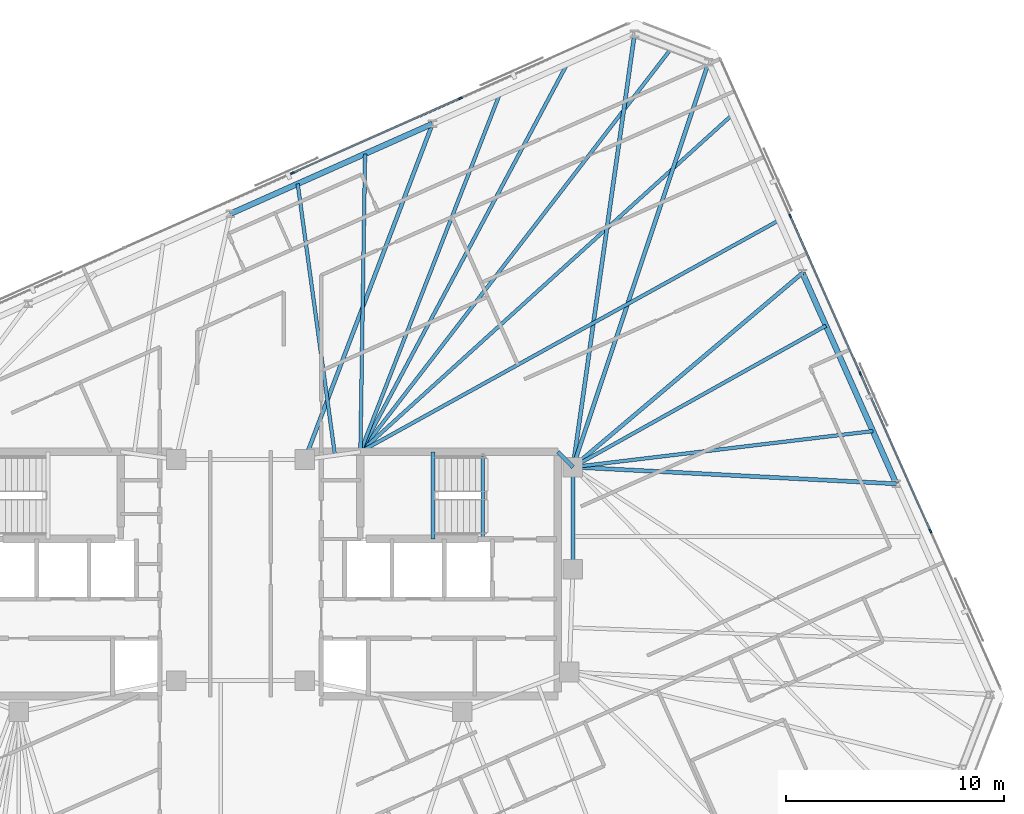
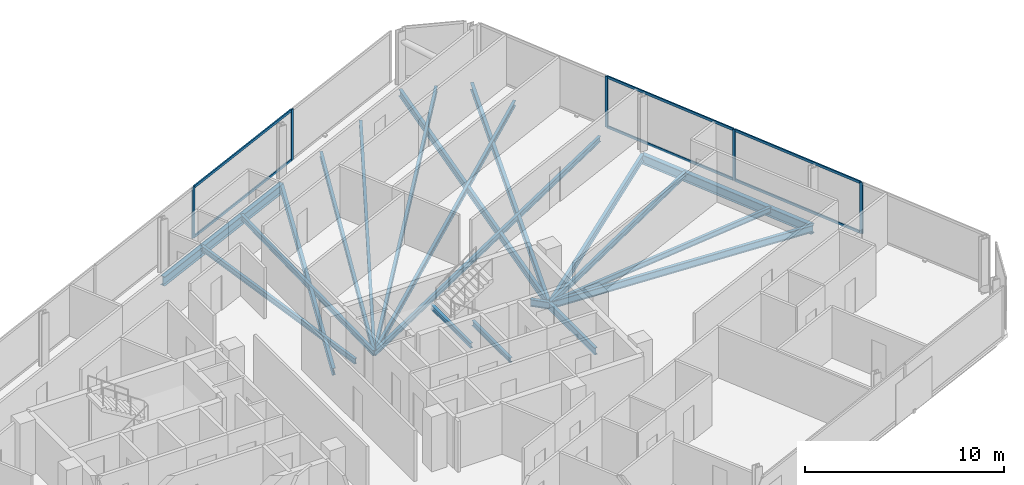
# One storey, part 10 of 19: 20 beams, 11 members, 2 elements without a shape of their own.
"""IFC4 building model written with IfcOpenShell, lengths in metres."""

from ifc_helpers import new_model, si_unit, direction, frame, origin, origin_2d, place, context, subcontext, project, spatial, rectangle, i_section, extrude, material, material_profile, profile_set, type_object, element, aggregate, save


model = new_model("IFC4")

# Units and contexts
model_context = context("Model", 3, precision=1e-05, world=origin(), true_north=direction((0.0, 1.0)))
body_context = subcontext(model_context, "Body", "Model", "MODEL_VIEW")
ifc_project = project(units=[si_unit("LENGTHUNIT", "METRE"), si_unit("AREAUNIT", "SQUARE_METRE"), si_unit("VOLUMEUNIT", "CUBIC_METRE"), si_unit("PLANEANGLEUNIT", "RADIAN"), si_unit("MASSUNIT", "GRAM", prefix="KILO")], contexts=[model_context])

# Site, building, storey
site_placement = place(None, origin())
site = spatial("IfcSite", under=ifc_project, at=site_placement, CompositionType="ELEMENT")
building_placement = place(site_placement, origin())
building = spatial("IfcBuilding", under=site, at=building_placement, Name="Menara Jurai Vektor", CompositionType="ELEMENT")
storey_placement = place(building_placement, frame((0.0, 0.0, 268.89990234375)))
storey = spatial("IfcBuildingStorey", under=building, at=storey_placement, Name="L72", CompositionType="ELEMENT", Elevation=268.89990234375)

# Curtain wall, members
ifc_material_1 = material(Name="Anodised Pale Aluminium & Low-E Double Glazing", Category="aluminium")
curtain_wall_type = type_object("IfcCurtainWallType", Name="CW-BLK5", PredefinedType="NOTDEFINED", material=ifc_material_1)
curtain_wall_1_placement = place(storey_placement, origin())
curtain_wall_1 = element("IfcCurtainWall", 1, at=curtain_wall_1_placement, inside=storey, type_object=curtain_wall_type, Name="Unitised Curtain Wall L72 F03", PredefinedType="NOTDEFINED")
ifc_material_2 = material(Name="Anodised Pale Aluminium Mullion", Category="aluminium")
ifc_material_profile_1 = material_profile(ifc_material_2, rectangle(XDim=0.074951171875, YDim=0.175048828125, at=origin_2d()), Name="ALU MUL 75x175")
ifc_profile_set_1 = profile_set([ifc_material_profile_1], Name="Anodised Pale Aluminium Mullion")
member_type_1 = type_object("IfcMemberType", Name="CW-BLK5-MUL", PredefinedType="MULLION", material=ifc_profile_set_1)
member_1_placement = place(storey_placement, frame((31.6533203125, 1.9658203125, 0.0), z_axis=(0.0, 0.0, 1.0), x_axis=(-0.913546127706, -0.406735138086, 0.0)))
member_1 = element("IfcMember", 2, at=member_1_placement, type_object=member_type_1, Name="CW-05 mullion 2", PredefinedType="MULLION", context=body_context, shape_type="SweptSolid", body=[
    extrude(rectangle(XDim=0.074951171875, YDim=0.175048828125, at=origin_2d()), origin(), (0.0, 0.0, 1.0), 3.125),
])
member_2_placement = place(storey_placement, frame((28.43603515625, 9.19189453125, 0.0), z_axis=(0.0, 0.0, 1.0), x_axis=(-0.913546127706, -0.406735138086, 0.0)))
member_2 = element("IfcMember", 3, at=member_2_placement, type_object=member_type_1, Name="CW-05 mullion 3", PredefinedType="MULLION", context=body_context, shape_type="SweptSolid", body=[
    extrude(rectangle(XDim=0.074951171875, YDim=0.175048828125, at=origin_2d()), origin(), (0.0, 0.0, 1.0), 3.125),
])
member_3_placement = place(storey_placement, frame((25.21875, 16.418212890625, 0.0), z_axis=(0.0, 0.0, 1.0), x_axis=(-0.913546127706, -0.406735138086, 0.0)))
member_3 = element("IfcMember", 4, at=member_3_placement, type_object=member_type_1, Name="CW-05 mullion 4", PredefinedType="MULLION", context=body_context, shape_type="SweptSolid", body=[
    extrude(rectangle(XDim=0.074951171875, YDim=0.175048828125, at=origin_2d()), origin(), (0.0, 0.0, 1.0), 3.125),
])

curtain_wall_2_placement = place(storey_placement, origin())
curtain_wall_2 = element("IfcCurtainWall", 5, at=curtain_wall_2_placement, inside=storey, type_object=curtain_wall_type, Name="Unitised Curtain Wall L72 F05", PredefinedType="NOTDEFINED")
member_4_placement = place(storey_placement, frame((10.0927734375, 21.822998046875, 0.0), z_axis=(0.0, 0.0, 1.0), x_axis=(0.406735498684, -0.913545967158, 0.0)))
member_4 = element("IfcMember", 6, at=member_4_placement, type_object=member_type_1, Name="CW-05 mullion 2", PredefinedType="MULLION", context=body_context, shape_type="SweptSolid", body=[
    extrude(rectangle(XDim=0.074951171875, YDim=0.175048828125, at=origin_2d()), origin(), (0.0, 0.0, 1.0), 3.125),
])
member_5_placement = place(storey_placement, frame((2.38232421875, 18.39013671875, 0.0), z_axis=(0.0, 0.0, 1.0), x_axis=(0.406735498684, -0.913545967158, 0.0)))
member_5 = element("IfcMember", 7, at=member_5_placement, type_object=member_type_1, Name="CW-05 mullion 3", PredefinedType="MULLION", context=body_context, shape_type="SweptSolid", body=[
    extrude(rectangle(XDim=0.074951171875, YDim=0.175048828125, at=origin_2d()), origin(), (0.0, 0.0, 1.0), 3.125),
])

# Member
ifc_material_3 = material(Name="Anodised Pale Aluminium Transom", Category="aluminium")
ifc_material_profile_2 = material_profile(ifc_material_3, rectangle(XDim=0.074951171875, YDim=0.155029296875, at=origin_2d()), Name="ALU TRN 75x155")
ifc_profile_set_2 = profile_set([ifc_material_profile_2], Name="Anodised Pale Aluminium Transom")
member_type_2 = type_object("IfcMemberType", Name="CW-BLK5-TRN", PredefinedType="USERDEFINED", material=ifc_profile_set_2)
member_6_placement = place(storey_placement, frame((31.63818359375, 2.0, 0.03759765625), z_axis=(-0.406731062496, 0.913547942256, 0.0), x_axis=(-0.913547942256, -0.406731062496, 0.0)))
member_6 = element("IfcMember", 8, at=member_6_placement, type_object=member_type_2, Name="CW-05 transom 2.1", ObjectType="TRANSOM", PredefinedType="USERDEFINED", context=body_context, shape_type="SweptSolid", body=[
    extrude(rectangle(XDim=0.074951171875, YDim=0.155029296875, at=origin_2d()), origin(), (0.0, 0.0, 1.0), 7.8349609375),
])

member_7_placement = place(storey_placement, frame((31.63818359375, 2.0, 3.087646484375), z_axis=(-0.406731062496, 0.913547942256, 0.0), x_axis=(-0.913547942256, -0.406731062496, 0.0)))
member_7 = element("IfcMember", 9, at=member_7_placement, type_object=member_type_2, Name="CW-05 transom 2.2", ObjectType="TRANSOM", PredefinedType="USERDEFINED", context=body_context, shape_type="SweptSolid", body=[
    extrude(rectangle(XDim=0.074951171875, YDim=0.155029296875, at=origin_2d()), origin(), (0.0, 0.0, 1.0), 7.8349609375),
])

member_8_placement = place(storey_placement, frame((28.4208984375, 9.226318359375, 0.03759765625), z_axis=(-0.40674264085, 0.913542787238, 0.0), x_axis=(-0.913542787238, -0.40674264085, 0.0)))
member_8 = element("IfcMember", 10, at=member_8_placement, type_object=member_type_2, Name="CW-05 transom 3.1", ObjectType="TRANSOM", PredefinedType="USERDEFINED", context=body_context, shape_type="SweptSolid", body=[
    extrude(rectangle(XDim=0.074951171875, YDim=0.155029296875, at=origin_2d()), origin(), (0.0, 0.0, 1.0), 7.8349609375),
])

member_9_placement = place(storey_placement, frame((28.4208984375, 9.226318359375, 3.087646484375), z_axis=(-0.40674264085, 0.913542787238, 0.0), x_axis=(-0.913542787238, -0.40674264085, 0.0)))
member_9 = element("IfcMember", 11, at=member_9_placement, type_object=member_type_2, Name="CW-05 transom 3.2", ObjectType="TRANSOM", PredefinedType="USERDEFINED", context=body_context, shape_type="SweptSolid", body=[
    extrude(rectangle(XDim=0.074951171875, YDim=0.155029296875, at=origin_2d()), origin(), (0.0, 0.0, 1.0), 7.8349609375),
])

aggregate(curtain_wall_1, [member_1, member_2, member_3, member_6, member_7, member_8, member_9])

member_10_placement = place(storey_placement, frame((10.058349609375, 21.807861328125, 0.03759765625), z_axis=(-0.913546575494, -0.406734132331, 0.0), x_axis=(0.406734132331, -0.913546575494, 0.0)))
member_10 = element("IfcMember", 12, at=member_10_placement, type_object=member_type_2, Name="CW-05 transom 2.1", ObjectType="TRANSOM", PredefinedType="USERDEFINED", context=body_context, shape_type="SweptSolid", body=[
    extrude(rectangle(XDim=0.074951171875, YDim=0.155029296875, at=origin_2d()), origin(), (0.0, 0.0, 1.0), 8.364990234375),
])

member_11_placement = place(storey_placement, frame((10.058349609375, 21.807861328125, 3.087646484375), z_axis=(-0.913546575494, -0.406734132331, 0.0), x_axis=(0.406734132331, -0.913546575494, 0.0)))
member_11 = element("IfcMember", 13, at=member_11_placement, type_object=member_type_2, Name="CW-05 transom 2.2", ObjectType="TRANSOM", PredefinedType="USERDEFINED", context=body_context, shape_type="SweptSolid", body=[
    extrude(rectangle(XDim=0.074951171875, YDim=0.155029296875, at=origin_2d()), origin(), (0.0, 0.0, 1.0), 8.364990234375),
])

aggregate(curtain_wall_2, [member_4, member_5, member_10, member_11])

# Beams
ifc_material_4 = material(Name="Steel S355", Category="steel")
ifc_material_profile_3 = material_profile(ifc_material_4, i_section(OverallWidth=0.18505859375, OverallDepth=0.429931640625, WebThickness=0.010986328125, FlangeThickness=0.01806640625, at=origin_2d()), Name="PG 430x185x76")
ifc_profile_set_3 = profile_set([ifc_material_profile_3], Name="Steel S355")
beam_type_1 = type_object("IfcBeamType", Name="STR-BM-430", PredefinedType="BEAM", material=ifc_profile_set_3)
beam_1_placement = place(storey_placement, frame((14.56005859375, 5.60009765625, -0.43994140625), z_axis=(0.701871936926, -0.712303154672, 0.0), x_axis=(0.712303154672, 0.701871936926, 0.0)))
element("IfcBeam", 14, at=beam_1_placement, inside=storey, type_object=beam_type_1, Name="Core Ring Header Girder L72-CHE-N2", PredefinedType="BEAM", context=body_context, shape_type="SweptSolid", body=[
    extrude(i_section(OverallWidth=0.18505859375, OverallDepth=0.429931640625, WebThickness=0.010986328125, FlangeThickness=0.01806640625, at=origin_2d()), origin(), (0.0, 0.0, 1.0), 0.98291015625),
])
beam_2_placement = place(storey_placement, frame((15.25, 0.219970703125, -0.43994140625), z_axis=(0.0, 1.0, 0.0), x_axis=(-1.0, 0.0, 0.0)))
element("IfcBeam", 15, at=beam_2_placement, inside=storey, type_object=beam_type_1, Name="Core Ring Header Girder L72-CHE-E1", PredefinedType="BEAM", context=body_context, shape_type="SweptSolid", body=[
    extrude(i_section(OverallWidth=0.18505859375, OverallDepth=0.429931640625, WebThickness=0.010986328125, FlangeThickness=0.01806640625, at=origin_2d()), origin(), (0.0, 0.0, 1.0), 4.679931640625),
])
beam_3_placement = place(storey_placement, frame((30.086181640625, 4.13330078125, -0.43994140625), z_axis=(-0.998667716832, 0.051602241782, 0.0), x_axis=(-0.051602241782, -0.998667716832, 0.0)))
element("IfcBeam", 16, at=beam_3_placement, inside=storey, type_object=beam_type_1, Name="Radial Floor Girder L72-E2", PredefinedType="BEAM", context=body_context, shape_type="SweptSolid", body=[
    extrude(i_section(OverallWidth=0.18505859375, OverallDepth=0.429931640625, WebThickness=0.010986328125, FlangeThickness=0.01806640625, at=origin_2d()), origin(), (0.0, 0.0, 1.0), 14.85595703125),
])
beam_4_placement = place(storey_placement, frame((25.781005859375, 13.80322265625, -0.43994140625), z_axis=(-0.763655500673, -0.6456239434, 0.0), x_axis=(0.6456239434, -0.763655500673, 0.0)))
element("IfcBeam", 17, at=beam_4_placement, inside=storey, type_object=beam_type_1, Name="Radial Floor Girder L72-E3", PredefinedType="BEAM", context=body_context, shape_type="SweptSolid", body=[
    extrude(i_section(OverallWidth=0.18505859375, OverallDepth=0.429931640625, WebThickness=0.010986328125, FlangeThickness=0.01806640625, at=origin_2d()), origin(), (0.0, 0.0, 1.0), 13.790283203125),
])
beam_5_placement = place(storey_placement, frame((21.4755859375, 23.473388671875, -0.43994140625), z_axis=(-0.317808893183, -0.948154790851, 0.0), x_axis=(0.948154790851, -0.317808893183, 0.0)))
element("IfcBeam", 18, at=beam_5_placement, inside=storey, type_object=beam_type_1, Name="Radial Floor Girder L72-E4", PredefinedType="BEAM", context=body_context, shape_type="SweptSolid", body=[
    extrude(i_section(OverallWidth=0.18505859375, OverallDepth=0.429931640625, WebThickness=0.010986328125, FlangeThickness=0.01806640625, at=origin_2d()), origin(), (0.0, 0.0, 1.0), 19.589111328125),
])
beam_6_placement = place(storey_placement, frame((18.07958984375, 24.777099609375, -0.43994140625), z_axis=(-0.140932755913, -0.990019170678, 0.0), x_axis=(0.990019170678, -0.140932755913, 0.0)))
element("IfcBeam", 19, at=beam_6_placement, inside=storey, type_object=beam_type_1, Name="Radial Floor Girder L72-N1", PredefinedType="BEAM", context=body_context, shape_type="SweptSolid", body=[
    extrude(i_section(OverallWidth=0.18505859375, OverallDepth=0.429931640625, WebThickness=0.010986328125, FlangeThickness=0.01806640625, at=origin_2d()), origin(), (0.0, 0.0, 1.0), 20.07763671875),
])
beam_7_placement = place(storey_placement, frame((8.805908203125, 20.648193359375, -0.43994140625), z_axis=(-0.355464051758, -0.934689952823, 0.0), x_axis=(0.934689952823, -0.355464051758, 0.0)))
element("IfcBeam", 20, at=beam_7_placement, inside=storey, type_object=beam_type_1, Name="Radial Floor Girder L72-N2", PredefinedType="BEAM", context=body_context, shape_type="SweptSolid", body=[
    extrude(i_section(OverallWidth=0.18505859375, OverallDepth=0.429931640625, WebThickness=0.010986328125, FlangeThickness=0.01806640625, at=origin_2d()), origin(), (0.0, 0.0, 1.0), 16.47412109375),
])
ifc_material_profile_4 = material_profile(ifc_material_4, i_section(OverallWidth=0.1650390625, OverallDepth=0.330078125, WebThickness=0.009033203125, FlangeThickness=0.013916015625, at=origin_2d()), Name="PG 330x165x46")
ifc_profile_set_4 = profile_set([ifc_material_profile_4], Name="Steel S355")
beam_type_2 = type_object("IfcBeamType", Name="STR-JS-330", PredefinedType="JOIST", material=ifc_profile_set_4)
beam_8_placement = place(storey_placement, frame((29.010009765625, 6.55078125, -0.389892578125), z_axis=(-0.992879589053, -0.119122296999, 0.0), x_axis=(0.119122296999, -0.992879589053, 0.0)))
element("IfcBeam", 21, at=beam_8_placement, inside=storey, type_object=beam_type_2, Name="Radial Secondary Floor Joist L72-JS10", PredefinedType="JOIST", context=body_context, shape_type="SweptSolid", body=[
    extrude(i_section(OverallWidth=0.1650390625, OverallDepth=0.330078125, WebThickness=0.009033203125, FlangeThickness=0.013916015625, at=origin_2d()), origin(), (0.0, 0.0, 1.0), 13.858642578125),
])
beam_9_placement = place(storey_placement, frame((26.857177734375, 11.3857421875, -0.389892578125), z_axis=(-0.872960269613, -0.487791315705, 0.0), x_axis=(0.487791315705, -0.872960269613, 0.0)))
element("IfcBeam", 22, at=beam_9_placement, inside=storey, type_object=beam_type_2, Name="Radial Secondary Floor Joist L72-JS11", PredefinedType="JOIST", context=body_context, shape_type="SweptSolid", body=[
    extrude(i_section(OverallWidth=0.1650390625, OverallDepth=0.330078125, WebThickness=0.009033203125, FlangeThickness=0.013916015625, at=origin_2d()), origin(), (0.0, 0.0, 1.0), 13.29638671875),
])
beam_10_placement = place(storey_placement, frame((24.70458984375, 16.220703125, -0.389892578125), z_axis=(-0.87509599458, -0.483949377797, 0.0), x_axis=(0.483949377797, -0.87509599458, 0.0)))
element("IfcBeam", 23, at=beam_10_placement, inside=storey, type_object=beam_type_2, Name="Radial Secondary Floor Joist L72-JS12", PredefinedType="JOIST", context=body_context, shape_type="SweptSolid", body=[
    extrude(i_section(OverallWidth=0.1650390625, OverallDepth=0.330078125, WebThickness=0.009033203125, FlangeThickness=0.013916015625, at=origin_2d()), origin(), (0.0, 0.0, 1.0), 21.94580078125),
])
beam_11_placement = place(storey_placement, frame((22.552001953125, 21.055908203125, -0.389892578125), z_axis=(-0.74093432875, -0.67157748658, 0.0), x_axis=(0.67157748658, -0.74093432875, 0.0)))
element("IfcBeam", 24, at=beam_11_placement, inside=storey, type_object=beam_type_2, Name="Radial Secondary Floor Joist L72-JS13", PredefinedType="JOIST", context=body_context, shape_type="SweptSolid", body=[
    extrude(i_section(OverallWidth=0.1650390625, OverallDepth=0.330078125, WebThickness=0.009033203125, FlangeThickness=0.013916015625, at=origin_2d()), origin(), (0.0, 0.0, 1.0), 23.01416015625),
])
beam_12_placement = place(storey_placement, frame((19.777587890625, 24.125244140625, -0.389892578125), z_axis=(-0.610448519134, -0.792055935832, 0.0), x_axis=(0.792055935832, -0.610448519134, 0.0)))
element("IfcBeam", 25, at=beam_12_placement, inside=storey, type_object=beam_type_2, Name="Radial Secondary Floor Joist L72-JS14", PredefinedType="JOIST", context=body_context, shape_type="SweptSolid", body=[
    extrude(i_section(OverallWidth=0.1650390625, OverallDepth=0.330078125, WebThickness=0.009033203125, FlangeThickness=0.013916015625, at=origin_2d()), origin(), (0.0, 0.0, 1.0), 23.388671875),
])
beam_13_placement = place(storey_placement, frame((14.98828125, 23.400634765625, -0.389892578125), z_axis=(-0.470382173413, -0.882462809945, 0.0), x_axis=(0.882462809945, -0.470382173413, 0.0)))
element("IfcBeam", 26, at=beam_13_placement, inside=storey, type_object=beam_type_2, Name="Radial Secondary Floor Joist L72-JS15", PredefinedType="JOIST", context=body_context, shape_type="SweptSolid", body=[
    extrude(i_section(OverallWidth=0.1650390625, OverallDepth=0.330078125, WebThickness=0.009033203125, FlangeThickness=0.013916015625, at=origin_2d()), origin(), (0.0, 0.0, 1.0), 20.17138671875),
])
beam_14_placement = place(storey_placement, frame((11.897216796875, 22.0244140625, -0.389892578125), z_axis=(-0.36293816309, -0.931813226872, 0.0), x_axis=(0.931813226872, -0.36293816309, 0.0)))
element("IfcBeam", 27, at=beam_14_placement, inside=storey, type_object=beam_type_2, Name="Radial Secondary Floor Joist L72-JS16", PredefinedType="JOIST", context=body_context, shape_type="SweptSolid", body=[
    extrude(i_section(OverallWidth=0.1650390625, OverallDepth=0.330078125, WebThickness=0.009033203125, FlangeThickness=0.013916015625, at=origin_2d()), origin(), (0.0, 0.0, 1.0), 17.626220703125),
])
beam_15_placement = place(storey_placement, frame((5.71484375, 19.27197265625, -0.389892578125), z_axis=(-0.01571234584, -0.999876553475, 0.0), x_axis=(0.999876553475, -0.01571234584, 0.0)))
element("IfcBeam", 28, at=beam_15_placement, inside=storey, type_object=beam_type_2, Name="Radial Secondary Floor Joist L72-JS17", PredefinedType="JOIST", context=body_context, shape_type="SweptSolid", body=[
    extrude(i_section(OverallWidth=0.1650390625, OverallDepth=0.330078125, WebThickness=0.009033203125, FlangeThickness=0.013916015625, at=origin_2d()), origin(), (0.0, 0.0, 1.0), 13.673583984375),
])
beam_16_placement = place(storey_placement, frame((2.62353515625, 17.8955078125, -0.389892578125), z_axis=(0.13599011119, -0.990710194587, 0.0), x_axis=(0.990710194587, 0.13599011119, 0.0)))
element("IfcBeam", 29, at=beam_16_placement, inside=storey, type_object=beam_type_2, Name="Radial Secondary Floor Joist L72-JS18", PredefinedType="JOIST", context=body_context, shape_type="SweptSolid", body=[
    extrude(i_section(OverallWidth=0.1650390625, OverallDepth=0.330078125, WebThickness=0.009033203125, FlangeThickness=0.013916015625, at=origin_2d()), origin(), (0.0, 0.0, 1.0), 12.572265625),
])
ifc_material_profile_5 = material_profile(ifc_material_4, i_section(OverallWidth=0.1650390625, OverallDepth=0.302978515625, WebThickness=0.006103515625, FlangeThickness=0.010009765625, FilletRadius=0.009033203125, at=origin_2d()), Name="UKB 305x165x40")
ifc_profile_set_5 = profile_set([ifc_material_profile_5], Name="Steel S355")
beam_type_3 = type_object("IfcBeamType", Name="STR-LN-305", PredefinedType="LINTEL", material=ifc_profile_set_5)
beam_17_placement = place(storey_placement, frame((11.1201171875, 1.60009765625, -0.37646484375), z_axis=(0.0, 1.0, 0.0), x_axis=(-1.0, 0.0, 0.0)))
element("IfcBeam", 30, at=beam_17_placement, inside=storey, type_object=beam_type_3, Name="Stair Well Floor Trimmer ST2 L72", PredefinedType="LINTEL", context=body_context, shape_type="SweptSolid", body=[
    extrude(i_section(OverallWidth=0.1650390625, OverallDepth=0.302978515625, WebThickness=0.006103515625, FlangeThickness=0.010009765625, FilletRadius=0.009033203125, at=origin_2d()), origin(), (0.0, 0.0, 1.0), 3.81982421875),
])
beam_18_placement = place(storey_placement, frame((8.830078125, 1.60009765625, 1.323486328125), z_axis=(0.0, 1.0, 0.0), x_axis=(-1.0, 0.0, 0.0)))
element("IfcBeam", 31, at=beam_18_placement, inside=storey, type_object=beam_type_3, Name="Stair Half-Landing Nosing Trimmer ST2-1 L72", PredefinedType="LINTEL", context=body_context, shape_type="SweptSolid", body=[
    extrude(i_section(OverallWidth=0.1650390625, OverallDepth=0.302978515625, WebThickness=0.006103515625, FlangeThickness=0.010009765625, FilletRadius=0.009033203125, at=origin_2d()), origin(), (0.0, 0.0, 1.0), 4.0),
])
ifc_material_profile_6 = material_profile(ifc_material_4, i_section(OverallWidth=0.260009765625, OverallDepth=0.570068359375, WebThickness=0.013916015625, FlangeThickness=0.02392578125, at=origin_2d()), Name="PG 570x260x145")
ifc_profile_set_6 = profile_set([ifc_material_profile_6], Name="Steel S355")
beam_type_4 = type_object("IfcBeamType", Name="STR-SP-570", PredefinedType="SPANDREL", material=ifc_profile_set_6)
beam_19_placement = place(storey_placement, frame((30.086181640625, 4.13330078125, -0.510009765625), z_axis=(-0.406724751578, 0.913550751986, 0.0), x_axis=(-0.913550751986, -0.406724751578, 0.0)))
element("IfcBeam", 32, at=beam_19_placement, inside=storey, type_object=beam_type_4, Name="Exoskeleton Spandrel Beam L72-08", PredefinedType="SPANDREL", context=body_context, shape_type="SweptSolid", body=[
    extrude(i_section(OverallWidth=0.260009765625, OverallDepth=0.570068359375, WebThickness=0.013916015625, FlangeThickness=0.02392578125, at=origin_2d()), origin(), (0.0, 0.0, 1.0), 10.5849609375),
])
beam_20_placement = place(storey_placement, frame((8.805908203125, 20.648193359375, -0.510009765625), z_axis=(-0.913541582548, -0.406745346568, 0.0), x_axis=(0.406745346568, -0.913541582548, 0.0)))
element("IfcBeam", 33, at=beam_20_placement, inside=storey, type_object=beam_type_4, Name="Exoskeleton Spandrel Beam L72-12", PredefinedType="SPANDREL", context=body_context, shape_type="SweptSolid", body=[
    extrude(i_section(OverallWidth=0.260009765625, OverallDepth=0.570068359375, WebThickness=0.013916015625, FlangeThickness=0.02392578125, at=origin_2d()), origin(), (0.0, 0.0, 1.0), 10.151123046875),
])

save(model, "model.ifc")
